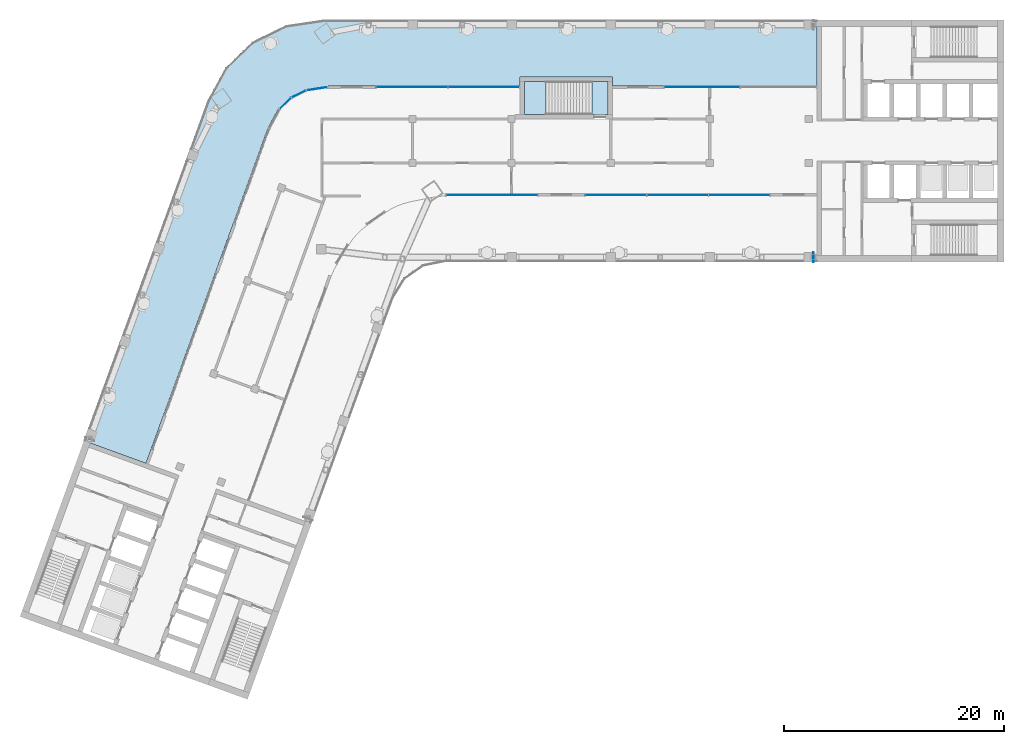
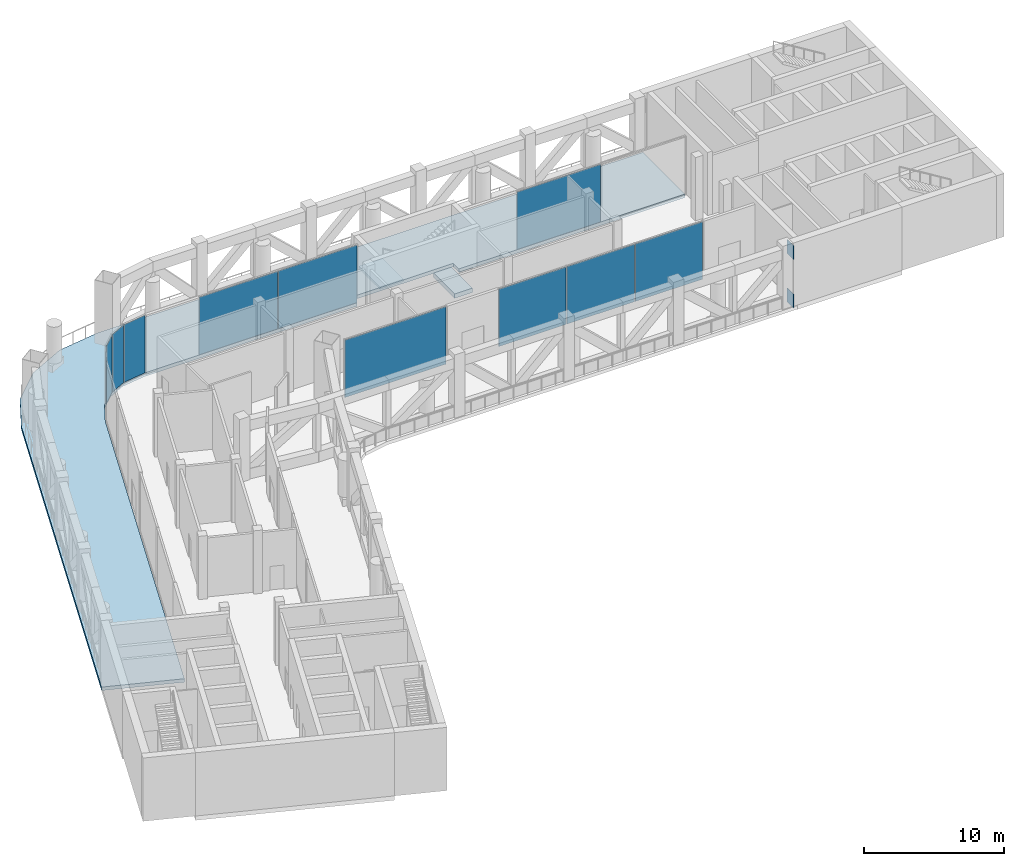
# One storey, part 9 of 19: 12 plates, 3 slabs, 8 elements without a shape of their own.
"""IFC4 building model written with IfcOpenShell, lengths in metres."""

from ifc_helpers import new_model, si_unit, direction, frame, origin, origin_2d, place, context, subcontext, project, spatial, polyline, rectangle, outline, extrude, material, layer, layer_set, type_object, element, aggregate, save


model = new_model("IFC4")

# Units and contexts
model_context = context("Model", 3, precision=1e-05, world=origin(), true_north=direction((0.0, 1.0)))
body_context = subcontext(model_context, "Body", "Model", "MODEL_VIEW")
ifc_project = project(units=[si_unit("LENGTHUNIT", "METRE"), si_unit("AREAUNIT", "SQUARE_METRE"), si_unit("VOLUMEUNIT", "CUBIC_METRE"), si_unit("PLANEANGLEUNIT", "RADIAN"), si_unit("MASSUNIT", "GRAM", prefix="KILO")], contexts=[model_context])

# Site, building, storey
site_placement = place(None, origin())
site = spatial("IfcSite", under=ifc_project, at=site_placement, CompositionType="ELEMENT")
building_placement = place(site_placement, origin())
building = spatial("IfcBuilding", under=site, at=building_placement, Name="Skarvind Civic Tower", CompositionType="ELEMENT")
storey_placement = place(building_placement, frame((0.0, 0.0, 129.0)))
storey = spatial("IfcBuildingStorey", under=building, at=storey_placement, Name="L30", CompositionType="ELEMENT", Elevation=129.0)

# Curtain wall, plates
ifc_material_1 = material(Name="Aluminium alloy 6063 and laminated glass", Category="aluminium")
curtain_wall_type = type_object("IfcCurtainWallType", Name="CW3 SEPARATOR INNER GLAZING", PredefinedType="NOTDEFINED", material=ifc_material_1)
curtain_wall_1_placement = place(storey_placement, origin())
curtain_wall_1 = element("IfcCurtainWall", 1, at=curtain_wall_1_placement, inside=storey, type_object=curtain_wall_type, Name="SEPARATOR INNER GLAZING", PredefinedType="NOTDEFINED")
ifc_material_2 = material(Name="Laminated low-iron glass", Category="glass")
ifc_layer_1 = layer(ifc_material_2, 0.031982421875)
ifc_layer_set_1 = layer_set([ifc_layer_1], Name="CW3 GLASS PANEL 32")
plate_type_1 = type_object("IfcPlateType", Name="CW3 GLASS PANEL 32", PredefinedType="CURTAIN_PANEL", material=ifc_layer_set_1)
plate_1_placement = place(storey_placement, frame((83.95068359375, 123.10009765625, 0.06005859375), z_axis=(0.0, 0.0, 1.0), x_axis=(-1.0, 0.0, 0.0)))
plate_1 = element("IfcPlate", 2, at=plate_1_placement, type_object=plate_type_1, Name="CW3 panel 1.1", PredefinedType="CURTAIN_PANEL", context=body_context, shape_type="SweptSolid", body=[
    extrude(rectangle(XDim=5.53759765625, YDim=0.031982421875, at=origin_2d()), origin(), (0.0, 0.0, 1.0), 5.0048828125),
])
plate_2_placement = place(storey_placement, frame((78.338134765625, 123.10009765625, 0.06005859375), z_axis=(0.0, 0.0, 1.0), x_axis=(-1.0, 0.0, 0.0)))
plate_2 = element("IfcPlate", 3, at=plate_2_placement, type_object=plate_type_1, Name="CW3 panel 2.1", PredefinedType="CURTAIN_PANEL", context=body_context, shape_type="SweptSolid", body=[
    extrude(rectangle(XDim=5.5673828125, YDim=0.031982421875, at=origin_2d()), origin(), (0.0, 0.0, 1.0), 5.0048828125),
])
plate_3_placement = place(storey_placement, frame((72.7255859375, 123.10009765625, 0.06005859375), z_axis=(0.0, 0.0, 1.0), x_axis=(-1.0, 0.0, 0.0)))
plate_3 = element("IfcPlate", 4, at=plate_3_placement, type_object=plate_type_1, Name="CW3 panel 3.1", PredefinedType="CURTAIN_PANEL", context=body_context, shape_type="SweptSolid", body=[
    extrude(rectangle(XDim=5.53759765625, YDim=0.031982421875, at=origin_2d()), origin(), (0.0, 0.0, 1.0), 5.0048828125),
])
aggregate(curtain_wall_1, [plate_1, plate_2, plate_3])

# Curtain wall, plate
curtain_wall_2_placement = place(storey_placement, origin())
curtain_wall_2 = element("IfcCurtainWall", 5, at=curtain_wall_2_placement, inside=storey, type_object=curtain_wall_type, Name="SEPARATOR INNER GLAZING", PredefinedType="NOTDEFINED")
plate_4_placement = place(storey_placement, frame((61.455810546875, 123.10009765625, 0.06005859375), z_axis=(0.0, 0.0, 1.0), x_axis=(-1.0, 0.0, 0.0)))
plate_4 = element("IfcPlate", 6, at=plate_4_placement, type_object=plate_type_1, Name="CW3 panel 1.1", PredefinedType="CURTAIN_PANEL", context=body_context, shape_type="SweptSolid", body=[
    extrude(rectangle(XDim=8.3212890625, YDim=0.031982421875, at=origin_2d()), origin(), (0.0, 0.0, 1.0), 5.0048828125),
])
aggregate(curtain_wall_2, [plate_4])

curtain_wall_3_placement = place(storey_placement, origin())
curtain_wall_3 = element("IfcCurtainWall", 7, at=curtain_wall_3_placement, inside=storey, type_object=curtain_wall_type, Name="SEPARATOR INNER GLAZING", PredefinedType="NOTDEFINED")
plate_5_placement = place(storey_placement, frame((80.552490234375, 132.89990234375, 0.06005859375), z_axis=(0.0, 0.0, 1.0), x_axis=(1.0, 0.0, 0.0)))
plate_5 = element("IfcPlate", 8, at=plate_5_placement, type_object=plate_type_1, Name="CW3 panel 1.1", PredefinedType="CURTAIN_PANEL", context=body_context, shape_type="SweptSolid", body=[
    extrude(rectangle(XDim=6.885009765625, YDim=0.031982421875, at=origin_2d()), origin(), (0.0, 0.0, 1.0), 5.0048828125),
])
aggregate(curtain_wall_3, [plate_5])

# Curtain wall, plates
curtain_wall_4_placement = place(storey_placement, origin())
curtain_wall_4 = element("IfcCurtainWall", 9, at=curtain_wall_4_placement, inside=storey, type_object=curtain_wall_type, Name="SEPARATOR INNER GLAZING", PredefinedType="NOTDEFINED")
plate_6_placement = place(storey_placement, frame((54.193359375, 132.89990234375, 0.06005859375), z_axis=(0.0, 0.0, 1.0), x_axis=(1.0, 0.0, 0.0)))
plate_6 = element("IfcPlate", 10, at=plate_6_placement, type_object=plate_type_1, Name="CW3 panel 1.1", PredefinedType="CURTAIN_PANEL", context=body_context, shape_type="SweptSolid", body=[
    extrude(rectangle(XDim=6.457763671875, YDim=0.031982421875, at=origin_2d()), origin(), (0.0, 0.0, 1.0), 5.0048828125),
])
plate_7_placement = place(storey_placement, frame((60.711181640625, 132.89990234375, 0.06005859375), z_axis=(0.0, 0.0, 1.0), x_axis=(1.0, 0.0, 0.0)))
plate_7 = element("IfcPlate", 11, at=plate_7_placement, type_object=plate_type_1, Name="CW3 panel 2.1", PredefinedType="CURTAIN_PANEL", context=body_context, shape_type="SweptSolid", body=[
    extrude(rectangle(XDim=6.457763671875, YDim=0.031982421875, at=origin_2d()), origin(), (0.0, 0.0, 1.0), 5.0048828125),
])
aggregate(curtain_wall_4, [plate_6, plate_7])

# Curtain wall, plate
curtain_wall_5_placement = place(storey_placement, origin())
curtain_wall_5 = element("IfcCurtainWall", 12, at=curtain_wall_5_placement, inside=storey, type_object=curtain_wall_type, Name="SEPARATOR INNER GLAZING", PredefinedType="NOTDEFINED")
plate_8_placement = place(storey_placement, frame((45.557373046875, 132.7529296875, 0.06005859375), z_axis=(0.0, 0.0, 1.0), x_axis=(0.989123382496, 0.147088185109, 0.0)))
plate_8 = element("IfcPlate", 13, at=plate_8_placement, type_object=plate_type_1, Name="CW3 panel 1.1", PredefinedType="CURTAIN_PANEL", context=body_context, shape_type="SweptSolid", body=[
    extrude(rectangle(XDim=1.89501953125, YDim=0.031982421875, at=origin_2d()), origin(), (0.0, 0.0, 1.0), 5.0048828125),
])
aggregate(curtain_wall_5, [plate_8])

curtain_wall_6_placement = place(storey_placement, origin())
curtain_wall_6 = element("IfcCurtainWall", 14, at=curtain_wall_6_placement, inside=storey, type_object=curtain_wall_type, Name="SEPARATOR INNER GLAZING", PredefinedType="NOTDEFINED")
plate_9_placement = place(storey_placement, frame((43.90576171875, 132.27783203125, 0.06005859375), z_axis=(0.0, 0.0, 1.0), x_axis=(0.897630346387, 0.440749091032, 0.0)))
plate_9 = element("IfcPlate", 15, at=plate_9_placement, type_object=plate_type_1, Name="CW3 panel 1.1", PredefinedType="CURTAIN_PANEL", context=body_context, shape_type="SweptSolid", body=[
    extrude(rectangle(XDim=1.40478515625, YDim=0.031982421875, at=origin_2d()), origin(), (0.0, 0.0, 1.0), 5.0048828125),
])
aggregate(curtain_wall_6, [plate_9])

curtain_wall_7_placement = place(storey_placement, origin())
curtain_wall_7 = element("IfcCurtainWall", 16, at=curtain_wall_7_placement, inside=storey, type_object=curtain_wall_type, Name="SEPARATOR INNER GLAZING", PredefinedType="NOTDEFINED")
plate_10_placement = place(storey_placement, frame((42.696533203125, 131.43115234375, 0.06005859375), z_axis=(0.0, 0.0, 1.0), x_axis=(0.721194645416, 0.692732476085, 0.0)))
plate_10 = element("IfcPlate", 17, at=plate_10_placement, type_object=plate_type_1, Name="CW3 panel 1.1", PredefinedType="CURTAIN_PANEL", context=body_context, shape_type="SweptSolid", body=[
    extrude(rectangle(XDim=1.40478515625, YDim=0.031982421875, at=origin_2d()), origin(), (0.0, 0.0, 1.0), 5.0048828125),
])
aggregate(curtain_wall_7, [plate_10])

# Plates
ifc_material_3 = material(Name="Steel SM355", Category="steel")
ifc_layer_2 = layer(ifc_material_3, 0.0400390625)
ifc_layer_set_2 = layer_set([ifc_layer_2], Name="Cast-in plate 40")
plate_type_2 = type_object("IfcPlateType", Name="Cast-in plate 40", PredefinedType="USERDEFINED", material=ifc_layer_set_2)
for number, where, z_axis, x_axis, name in (
    (18, (90.695068359375, 117.449951171875, -0.14990234375), (0.0, 0.0, 1.0), (1.0, 0.0, 0.0), "Cast-in plate W1S BC 40"),
    (19, (90.695068359375, 117.449951171875, 4.0751953125), (0.0, 0.0, 1.0), (1.0, 0.0, 0.0), "Cast-in plate W1S TC 40"),
):
    element("IfcPlate", number, at=place(storey_placement, frame(where, z_axis=z_axis, x_axis=x_axis)), inside=storey, type_object=plate_type_2, Name=name, ObjectType="CAST-IN PLATE", PredefinedType="USERDEFINED", context=body_context, shape_type="SweptSolid", body=[
        extrude(rectangle(XDim=0.0400390625, YDim=0.89990234375, at=origin_2d()), origin(), (0.0, 0.0, 1.0), 1.199951171875),
    ])

# Slab
ifc_material_4 = material(Name="Concrete C40/50", Category="concrete")
ifc_layer_3 = layer(ifc_material_4, 0.375)
ifc_layer_set_3 = layer_set([ifc_layer_3], Name="Stair floor landing slab 375")
slab_type_1 = type_object("IfcSlabType", Name="Stair floor landing slab 375", PredefinedType="LANDING", material=ifc_layer_set_3)
slab_1_placement = place(storey_placement, frame((0.0, 0.0, -0.375)))
element("IfcSlab", 20, at=slab_1_placement, inside=storey, type_object=slab_type_1, Name="Stair floor landing", PredefinedType="LANDING", context=body_context, shape_type="SweptSolid", body=[
    extrude(outline(polyline([(70.54931640625, 130.3994140625), (70.54931640625, 133.400634765625), (72.00048828125, 133.400634765625), (72.00048828125, 130.3994140625), (70.54931640625, 130.3994140625)])), origin(), (0.0, 0.0, 1.0), 0.375),
])

# Stair, slab
stair_type = type_object("IfcStairType", Name="Exit stair 1450, half-turn, concrete", PredefinedType="HALF_TURN_STAIR", material=ifc_material_4)
stair_placement = place(storey_placement, origin())
stair = element("IfcStair", 21, at=stair_placement, inside=storey, type_object=stair_type, Name="Exit stair CM", PredefinedType="HALF_TURN_STAIR")
ifc_layer_4 = layer(ifc_material_4, 0.199951171875)
ifc_layer_set_4 = layer_set([ifc_layer_4], Name="Stair half landing slab")
slab_type_2 = type_object("IfcSlabType", Name="Stair half landing slab", PredefinedType="LANDING", material=ifc_layer_set_4)
slab_2_placement = place(storey_placement, frame((0.0, 0.0, 2.550048828125)))
slab_2 = element("IfcSlab", 22, at=slab_2_placement, type_object=slab_type_2, Name="ST-CM landing 1", PredefinedType="LANDING", context=body_context, shape_type="SweptSolid", body=[
    extrude(outline(polyline([(66.3505859375, 133.400634765625), (66.3505859375, 130.3994140625), (64.3994140625, 130.3994140625), (64.3994140625, 133.400634765625), (66.3505859375, 133.400634765625)])), origin(), (0.0, 0.0, 1.0), 0.199951171875),
])
aggregate(stair, [slab_2])

# Slab
ifc_material_5 = material(Name="Concrete C50", Category="concrete")
ifc_layer_5 = layer(ifc_material_5, 0.300048828125)
ifc_layer_set_5 = layer_set([ifc_layer_5], Name="Terrace slab 300 C50")
slab_type_3 = type_object("IfcSlabType", Name="Terrace slab 300 C50", PredefinedType="FLOOR", material=ifc_layer_set_5)
slab_3_placement = place(storey_placement, frame((0.0, 0.0, -0.35009765625)))
element("IfcSlab", 23, at=slab_3_placement, inside=storey, type_object=slab_type_3, Name="Terrace slab L30 1", PredefinedType="FLOOR", context=body_context, shape_type="SweptSolid", body=[
    extrude(outline(polyline([(37.24755859375, 134.6552734375), (35.630615234375, 131.672607421875), (24.376708984375, 100.75244140625), (30.014892578125, 98.7001953125), (41.1171875, 129.203369140625), (42.077392578125, 130.97509765625), (43.17724609375, 132.031494140625), (44.5458984375, 132.70361328125), (46.539306640625, 133.0), (64.0, 133.0), (64.0, 133.800048828125), (72.39990234375, 133.800048828125), (72.39990234375, 133.0), (91.0, 133.0), (91.0, 139.0), (46.095458984375, 139.0), (42.739501953125, 138.5009765625), (39.6943359375, 137.005615234375), (37.24755859375, 134.6552734375)])), origin(), (0.0, 0.0, 1.0), 0.300048828125),
])

save(model, "model.ifc")
